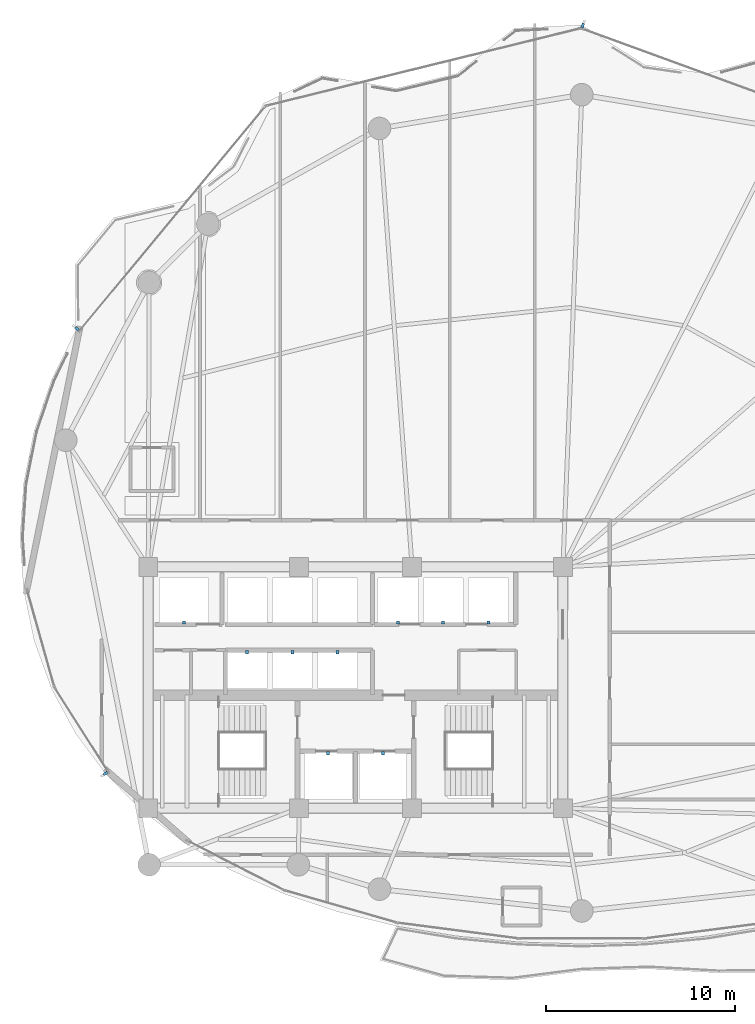
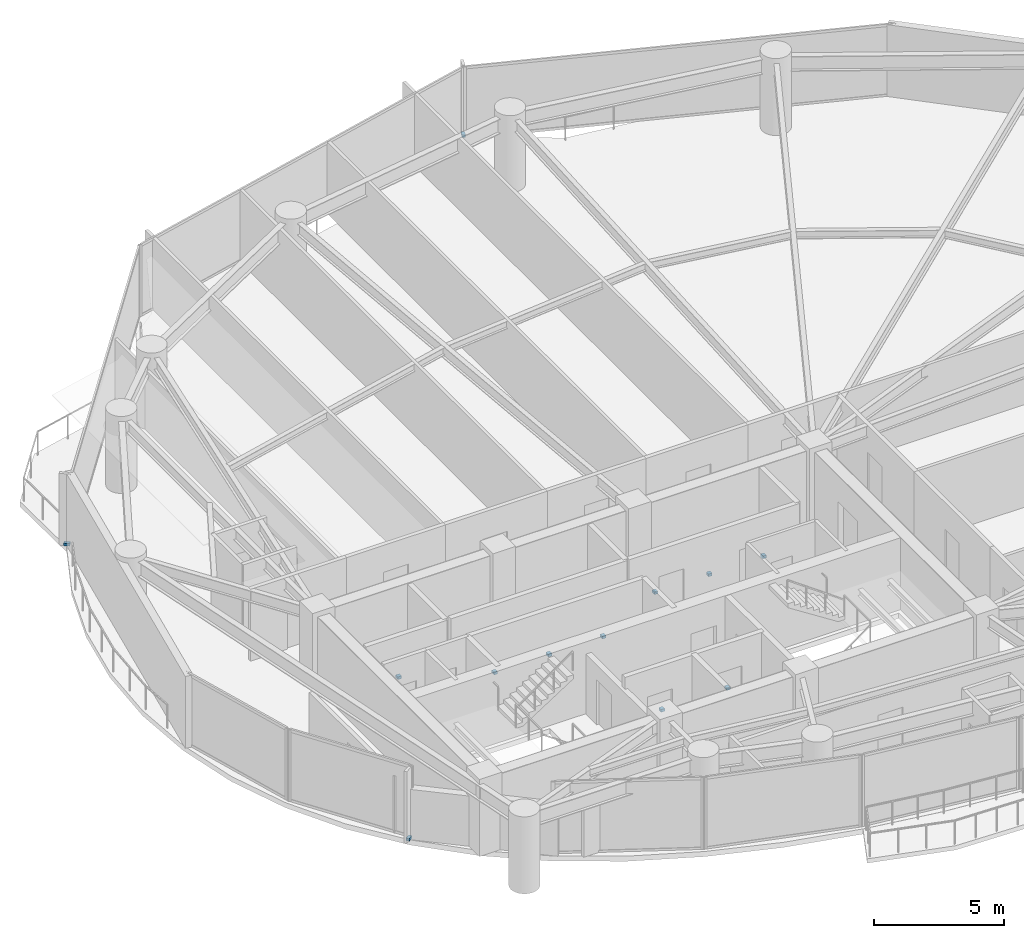
# One storey, part 25 of 28: 12 discrete accessories.
"""IFC4 building model written with IfcOpenShell, lengths in metres."""

from ifc_helpers import new_model, si_unit, direction, frame, origin, origin_2d, place, context, subcontext, project, spatial, rectangle, extrude, material, type_object, element, save


model = new_model("IFC4")

# Units and contexts
model_context = context("Model", 3, precision=1e-05, world=origin(), true_north=direction((0.0, 1.0)))
body_context = subcontext(model_context, "Body", "Model", "MODEL_VIEW")
ifc_project = project(units=[si_unit("LENGTHUNIT", "METRE"), si_unit("AREAUNIT", "SQUARE_METRE"), si_unit("VOLUMEUNIT", "CUBIC_METRE"), si_unit("PLANEANGLEUNIT", "RADIAN"), si_unit("MASSUNIT", "GRAM", prefix="KILO")], contexts=[model_context])

# Site, building, storey
site_placement = place(None, origin())
site = spatial("IfcSite", under=ifc_project, at=site_placement, CompositionType="ELEMENT")
building_placement = place(site_placement, origin())
building = spatial("IfcBuilding", under=site, at=building_placement, Name="Kazevale Care Tower and Concert Hall", CompositionType="ELEMENT")
storey_placement = place(building_placement, frame((0.0, 0.0, 102.60009765625)))
storey = spatial("IfcBuildingStorey", under=building, at=storey_placement, Name="L26", CompositionType="ELEMENT", Elevation=102.60009765625)

# Discrete accessories
ifc_material = material(Name="Stainless Steel 316", Category="steel")
discrete_accessory_type_1 = type_object("IfcDiscreteAccessoryType", Name="Facade Fin Stainless Anchor Bracket BRK-1", PredefinedType="BRACKET", material=ifc_material)
for number, where, z_axis, x_axis, name in (
    (1, (19.739013671875, 25.4443359375, -0.000244140625), (0.0, 0.0, 1.0), (-0.843391445813, -0.537299608347, 0.0), "cw:L26:f11:brk"),
    (2, (18.2265625, 49.0322265625, -0.000244140625), (0.0, 0.0, 1.0), (-0.770068049148, 0.637961754089, 0.0), "cw:L26:f14:brk"),
    (3, (45.0478515625, 65.113037109375, -0.000244140625), (0.0, 0.0, 1.0), (0.343167938899, 0.939274063153, 0.0), "cw:L26:f16:brk"),
):
    element("IfcDiscreteAccessory", number, at=place(storey_placement, frame(where, z_axis=z_axis, x_axis=x_axis)), inside=storey, type_object=discrete_accessory_type_1, Name=name, PredefinedType="BRACKET", context=body_context, shape_type="SweptSolid", body=[
        extrude(rectangle(XDim=0.239990234375, YDim=0.139892578125, at=origin_2d()), origin(), (0.0, 0.0, 1.0), 0.1201171875),
    ])
discrete_accessory_type_2 = type_object("IfcDiscreteAccessoryType", Name="Hoistway Guide-Rail Wall Bracket HBRK-1", PredefinedType="BRACKET", material=ifc_material)
for number, where, z_axis, x_axis, name in (
    (4, (31.550048828125, 26.52001953125, 1.23974609375), (0.0, 0.0, 1.0), (1.0, 0.0, 0.0), "hbrk:FFL-1:L26"),
    (5, (34.449951171875, 26.52001953125, 1.23974609375), (0.0, 0.0, 1.0), (1.0, 0.0, 0.0), "hbrk:FFL-2:L26"),
    (6, (23.89990234375, 33.449951171875, 1.23974609375), (0.0, 0.0, 1.0), (1.0, 0.0, 0.0), "hbrk:SVL-1:L26"),
    (7, (35.25, 33.449951171875, 1.23974609375), (0.0, 0.0, 1.0), (1.0, 0.0, 0.0), "hbrk:PM-1:L26"),
    (8, (37.64990234375, 33.449951171875, 1.23974609375), (0.0, 0.0, 1.0), (1.0, 0.0, 0.0), "hbrk:PM-2:L26"),
    (9, (40.050048828125, 33.449951171875, 1.23974609375), (0.0, 0.0, 1.0), (1.0, 0.0, 0.0), "hbrk:PM-3:L26"),
    (10, (27.25, 31.8798828125, 1.23974609375), (0.0, 0.0, 1.0), (1.0, 0.0, 0.0), "hbrk:PH-1:L26"),
    (11, (29.64990234375, 31.8798828125, 1.23974609375), (0.0, 0.0, 1.0), (1.0, 0.0, 0.0), "hbrk:PH-2:L26"),
    (12, (32.050048828125, 31.8798828125, 1.23974609375), (0.0, 0.0, 1.0), (1.0, 0.0, 0.0), "hbrk:PH-3:L26"),
):
    element("IfcDiscreteAccessory", number, at=place(storey_placement, frame(where, z_axis=z_axis, x_axis=x_axis)), inside=storey, type_object=discrete_accessory_type_2, Name=name, PredefinedType="BRACKET", context=body_context, shape_type="SweptSolid", body=[
        extrude(rectangle(XDim=0.159912109375, YDim=0.179931640625, at=origin_2d()), origin(), (0.0, 0.0, 1.0), 0.1201171875),
    ])

save(model, "model.ifc")
